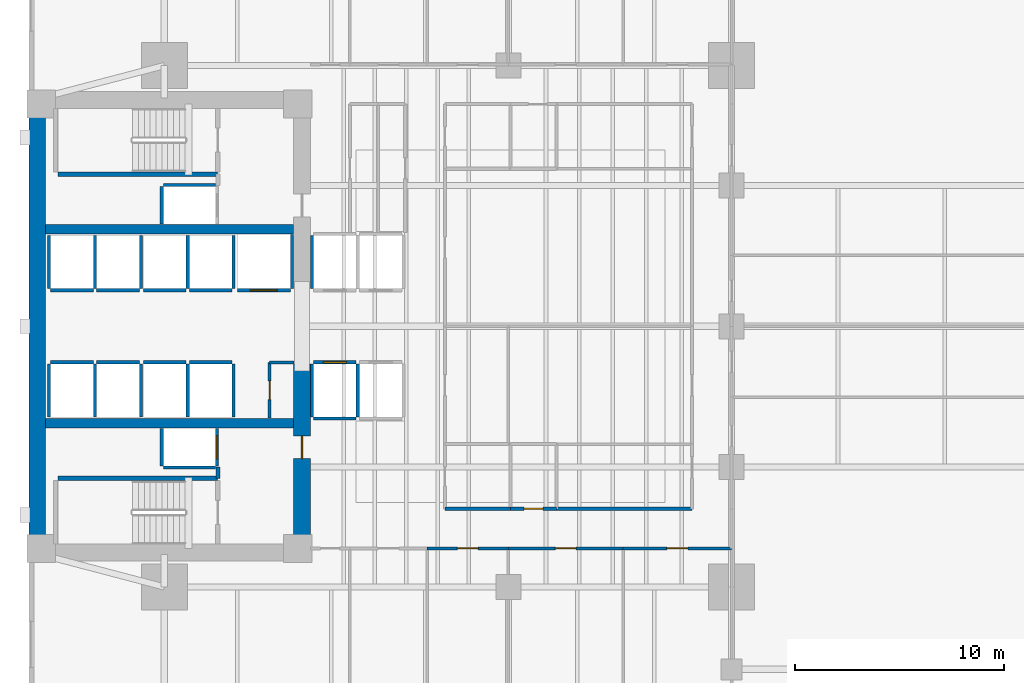
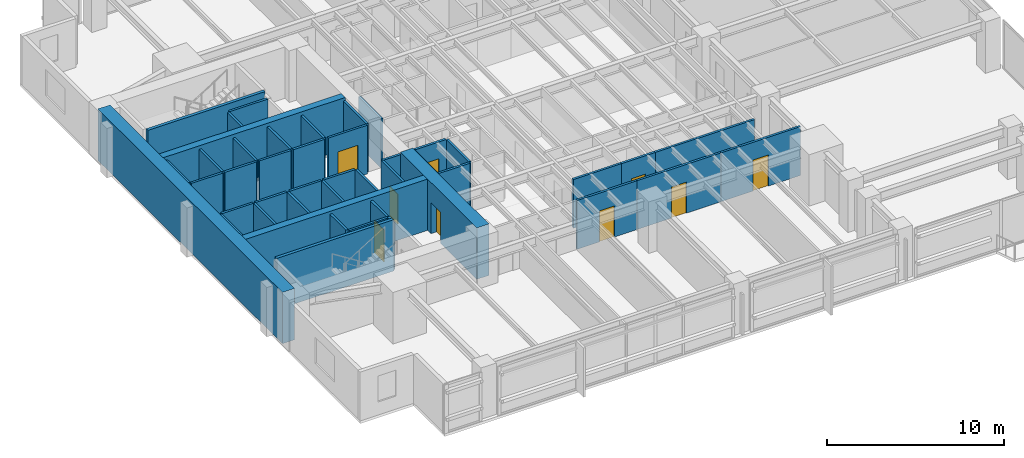
# One storey, part 8 of 15: 45 walls, 9 doors, 9 openings.
"""IFC4 building model written with IfcOpenShell, lengths in metres."""

from ifc_helpers import new_model, si_unit, direction, frame, frame_2d, origin, place, context, subcontext, project, spatial, rectangle, extrude, material, layer, layer_set, type_object, element, fill, save


model = new_model("IFC4")

# Units and contexts
model_context = context("Model", 3, precision=1e-05, world=origin(), true_north=direction((0.0, 1.0)))
body_context = subcontext(model_context, "Body", "Model", "MODEL_VIEW")
ifc_project = project(units=[si_unit("LENGTHUNIT", "METRE"), si_unit("AREAUNIT", "SQUARE_METRE"), si_unit("VOLUMEUNIT", "CUBIC_METRE"), si_unit("PLANEANGLEUNIT", "RADIAN"), si_unit("MASSUNIT", "GRAM", prefix="KILO")], contexts=[model_context])

# Site, building, storey
site_placement = place(None, origin())
site = spatial("IfcSite", under=ifc_project, at=site_placement, CompositionType="ELEMENT")
building_placement = place(site_placement, origin())
building = spatial("IfcBuilding", under=site, at=building_placement, Name="Kinhvarn Gate Tower", CompositionType="ELEMENT")
storey_placement = place(building_placement, frame((0.0, 0.0, 57.550048828125)))
storey = spatial("IfcBuildingStorey", under=building, at=storey_placement, Name="L14", CompositionType="ELEMENT", Elevation=57.550048828125)

# Walls
ifc_material_1 = material(Name="Concrete C50/60", Category="concrete")
ifc_layer_1 = layer(ifc_material_1, 0.449951171875)
ifc_layer_set_1 = layer_set([ifc_layer_1], Name="Concrete C50/60")
wall_type_1 = type_object("IfcWallType", Name="WL-CORE-450", PredefinedType="SHEAR", material=ifc_layer_set_1)
for number, where, z_axis, x_axis, name in (
    (1, (5.300048828125, 20.60009765625, 0.0), (0.0, 0.0, 1.0), (1.0, 0.0, 0.0), "Core South Spine Shear Wall L14 450 mm"),
    (2, (5.300048828125, 29.89990234375, 0.0), (0.0, 0.0, 1.0), (1.0, 0.0, 0.0), "Core North Spine Shear Wall L14 450 mm"),
):
    element("IfcWall", number, at=place(storey_placement, frame(where, z_axis=z_axis, x_axis=x_axis)), inside=storey, type_object=wall_type_1, Name=name, PredefinedType="SHEAR", context=body_context, shape_type="SweptSolid", body=[
        extrude(rectangle(XDim=11.89990234375, YDim=0.449951171875, at=frame_2d((5.949951171875, 0.0))), origin(), (0.0, 0.0, 1.0), 3.550048828125),
    ])

# Wall, opening, door
ifc_material_2 = material(Name="Concrete C70/85", Category="concrete")
ifc_layer_2 = layer(ifc_material_2, 0.800048828125)
ifc_layer_set_2 = layer_set([ifc_layer_2], Name="Concrete C70/85")
wall_type_2 = type_object("IfcWallType", Name="WL-CORE-800", PredefinedType="SHEAR", material=ifc_layer_set_2)
wall_1_placement = place(storey_placement, frame((17.60009765625, 14.800048828125, 0.0), z_axis=(0.0, 0.0, 1.0), x_axis=(0.0, 1.0, 0.0)))
wall_1 = element("IfcWall", 3, at=wall_1_placement, inside=storey, type_object=wall_type_2, Name="Core East-South Shear Pier L14 800 mm", PredefinedType="SHEAR", context=body_context, shape_type="SweptSolid", body=[
    extrude(rectangle(XDim=8.64990234375, YDim=0.800048828125, at=frame_2d((4.324951171875, 0.0))), origin(), (0.0, 0.0, 1.0), 3.550048828125),
])
opening_1_placement = place(wall_1_placement, frame((4.10009765625, 0.0, 0.0)))
opening_1 = element("IfcOpeningElement", 4, at=opening_1_placement, cuts=wall_1, Name="Opening FD-02", PredefinedType="OPENING", context=body_context, shape_type="SweptSolid", body=[
    extrude(rectangle(XDim=1.10009765625, YDim=2.14990234375, at=frame_2d((0.550048828125, 1.074951171875))), frame((0.0, 0.41015625, 0.0), z_axis=(0.0, -1.0, 0.0), x_axis=(1.0, 0.0, 0.0)), (0.0, 0.0, 1.0), 0.820068359375),
])
ifc_material_3 = material(Name="Anodised aluminium AW-6063", Category="aluminium")
door_type_1 = type_object("IfcDoorType", Name="DR-FD-1100", OperationType="NOTDEFINED", PredefinedType="DOOR", material=ifc_material_3)
door_1_placement = place(opening_1_placement, origin())
door_1 = element("IfcDoor", 5, at=door_1_placement, inside=storey, type_object=door_type_1, Name="Firefighting Lobby Core Door (L14)", OperationType="SINGLE_SWING_RIGHT", OverallHeight=2.14990234375, OverallWidth=1.10009765625, PredefinedType="DOOR", context=body_context, shape_type="SweptSolid", body=[
    extrude(rectangle(XDim=1.10009765625, YDim=2.14990234375, at=frame_2d((0.550048828125, 1.074951171875))), frame((0.0, 0.02490234375, 0.0), z_axis=(0.0, -1.0, 0.0), x_axis=(1.0, 0.0, 0.0)), (0.0, 0.0, 1.0), 0.050048828125),
])
fill(opening_1, door_1)

# Walls
ifc_layer_3 = layer(ifc_material_2, 0.800048828125)
ifc_layer_set_3 = layer_set([ifc_layer_3], Name="Concrete C70/85")
wall_type_3 = type_object("IfcWallType", Name="WL-COREX-800", PredefinedType="SHEAR", material=ifc_layer_set_3)
wall_2_placement = place(storey_placement, frame((4.89990234375, 14.800048828125, 0.0), z_axis=(0.0, 0.0, 1.0), x_axis=(0.0, 1.0, 0.0)))
element("IfcWall", 6, at=wall_2_placement, inside=storey, type_object=wall_type_3, Name="Core West Shear Wall L14 800 mm", PredefinedType="SHEAR", context=body_context, shape_type="SweptSolid", body=[
    extrude(rectangle(XDim=20.89990234375, YDim=0.800048828125, at=frame_2d((10.449951171875, 0.0))), origin(), (0.0, 0.0, 1.0), 3.550048828125),
])
ifc_material_4 = material(Name="Gypsum acoustic partition board")
ifc_layer_4 = layer(ifc_material_4, 0.14990234375)
ifc_layer_set_4 = layer_set([ifc_layer_4], Name="Gypsum acoustic partition board")
wall_type_4 = type_object("IfcWallType", Name="WL-PLM-150F", PredefinedType="PLUMBINGWALL", material=ifc_layer_set_4)
wall_3_placement = place(storey_placement, frame((24.449951171875, 16.5, 0.0), z_axis=(0.0, 0.0, 1.0), x_axis=(1.0, 0.0, 0.0)))
element("IfcWall", 7, at=wall_3_placement, inside=storey, type_object=wall_type_4, Name="Interior Partition PLW-150F (L14)", PredefinedType="PLUMBINGWALL", context=body_context, shape_type="SweptSolid", body=[
    extrude(rectangle(XDim=3.150146484375, YDim=0.14990234375, at=frame_2d((1.5751953125, 0.0))), origin(), (0.0, 0.0, 1.0), 3.369873046875),
])

# Wall, opening, door
wall_4_placement = place(storey_placement, frame((27.60009765625, 16.5, 0.0), z_axis=(0.0, 0.0, 1.0), x_axis=(1.0, 0.0, 0.0)))
wall_4 = element("IfcWall", 8, at=wall_4_placement, inside=storey, type_object=wall_type_4, Name="Interior Partition PLW-150F (L14)", PredefinedType="PLUMBINGWALL", context=body_context, shape_type="SweptSolid", body=[
    extrude(rectangle(XDim=2.199951171875, YDim=0.14990234375, at=frame_2d((1.10009765625, 0.0))), origin(), (0.0, 0.0, 1.0), 3.369873046875),
])
opening_2_placement = place(wall_4_placement, frame((0.64990234375, 0.0, 0.0)))
opening_2 = element("IfcOpeningElement", 9, at=opening_2_placement, cuts=wall_4, Name="Opening FD-04", PredefinedType="OPENING", context=body_context, shape_type="SweptSolid", body=[
    extrude(rectangle(XDim=0.89990234375, YDim=2.10009765625, at=frame_2d((0.449951171875, 1.050048828125))), frame((0.0, 0.0849609375, 0.0), z_axis=(0.0, -1.0, 0.0), x_axis=(1.0, 0.0, 0.0)), (0.0, 0.0, 1.0), 0.169921875),
])
door_type_2 = type_object("IfcDoorType", Name="DR-FD-900", OperationType="NOTDEFINED", PredefinedType="DOOR", material=ifc_material_3)
door_2_placement = place(opening_2_placement, origin())
door_2 = element("IfcDoor", 10, at=door_2_placement, inside=storey, type_object=door_type_2, Name="Rated Riser & Service Closet Fire Door 900x2100 mm (L14)", OperationType="SINGLE_SWING_LEFT", OverallHeight=2.10009765625, OverallWidth=0.89990234375, PredefinedType="DOOR", context=body_context, shape_type="SweptSolid", body=[
    extrude(rectangle(XDim=0.89990234375, YDim=2.10009765625, at=frame_2d((0.449951171875, 1.050048828125))), frame((0.0, 0.02490234375, 0.0), z_axis=(0.0, -1.0, 0.0), x_axis=(1.0, 0.0, 0.0)), (0.0, 0.0, 1.0), 0.050048828125),
])
fill(opening_2, door_2)

ifc_layer_5 = layer(ifc_material_4, 0.14990234375)
ifc_layer_set_5 = layer_set([ifc_layer_5], Name="Gypsum acoustic partition board")
wall_type_5 = type_object("IfcWallType", Name="WL-PRT-150F", PredefinedType="PARTITIONING", material=ifc_layer_set_5)
wall_5_placement = place(storey_placement, frame((16.050048828125, 20.85009765625, 0.0), z_axis=(0.0, 0.0, 1.0), x_axis=(0.0, 1.0, 0.0)))
wall_5 = element("IfcWall", 11, at=wall_5_placement, inside=storey, type_object=wall_type_5, Name="Interior Partition PW-150F (L14)", PredefinedType="PARTITIONING", context=body_context, shape_type="SweptSolid", body=[
    extrude(rectangle(XDim=2.669921875, YDim=0.14990234375, at=frame_2d((1.3349609375, 0.0))), origin(), (0.0, 0.0, 1.0), 3.369873046875),
])
opening_3_placement = place(wall_5_placement, frame((0.885009765625, 0.0, 0.0)))
opening_3 = element("IfcOpeningElement", 12, at=opening_3_placement, cuts=wall_5, Name="Opening FD-04", PredefinedType="OPENING", context=body_context, shape_type="SweptSolid", body=[
    extrude(rectangle(XDim=0.89990234375, YDim=2.10009765625, at=frame_2d((0.449951171875, 1.050048828125))), frame((0.0, 0.0849609375, 0.0), z_axis=(0.0, -1.0, 0.0), x_axis=(1.0, 0.0, 0.0)), (0.0, 0.0, 1.0), 0.169921875),
])
door_3_placement = place(opening_3_placement, origin())
door_3 = element("IfcDoor", 13, at=door_3_placement, inside=storey, type_object=door_type_2, Name="Rated Riser & Service Closet Fire Door 900x2100 mm (L14)", OperationType="SINGLE_SWING_RIGHT", OverallHeight=2.10009765625, OverallWidth=0.89990234375, PredefinedType="DOOR", context=body_context, shape_type="SweptSolid", body=[
    extrude(rectangle(XDim=0.89990234375, YDim=2.10009765625, at=frame_2d((0.449951171875, 1.050048828125))), frame((0.0, 0.02490234375, 0.0), z_axis=(0.0, -1.0, 0.0), x_axis=(1.0, 0.0, 0.0)), (0.0, 0.0, 1.0), 0.050048828125),
])
fill(opening_3, door_3)

# Walls
wall_6_placement = place(storey_placement, frame((16.050048828125, 23.52001953125, 0.0), z_axis=(0.0, 0.0, 1.0), x_axis=(1.0, 0.0, 0.0)))
element("IfcWall", 14, at=wall_6_placement, inside=storey, type_object=wall_type_5, Name="Interior Partition PW-150F (L14)", PredefinedType="PARTITIONING", context=body_context, shape_type="SweptSolid", body=[
    extrude(rectangle(XDim=1.169921875, YDim=0.14990234375, at=frame_2d((0.5849609375, 0.0))), origin(), (0.0, 0.0, 1.0), 3.369873046875),
])
wall_7_placement = place(storey_placement, frame((29.800048828125, 16.5, 0.0), z_axis=(0.0, 0.0, 1.0), x_axis=(1.0, 0.0, 0.0)))
element("IfcWall", 15, at=wall_7_placement, inside=storey, type_object=wall_type_5, Name="Interior Partition PW-150F (L14)", PredefinedType="PARTITIONING", context=body_context, shape_type="SweptSolid", body=[
    extrude(rectangle(XDim=6.5, YDim=0.14990234375, at=frame_2d((3.25, 0.0))), origin(), (0.0, 0.0, 1.0), 3.369873046875),
])

# Wall, opening, door
wall_8_placement = place(storey_placement, frame((23.60009765625, 14.60009765625, 0.0), z_axis=(0.0, 0.0, 1.0), x_axis=(1.0, 0.0, 0.0)))
wall_8 = element("IfcWall", 16, at=wall_8_placement, inside=storey, type_object=wall_type_5, Name="Interior Partition PW-150F (L14)", PredefinedType="PARTITIONING", context=body_context, shape_type="SweptSolid", body=[
    extrude(rectangle(XDim=3.89990234375, YDim=0.14990234375, at=frame_2d((1.949951171875, 0.0))), origin(), (0.0, 0.0, 1.0), 3.369873046875),
])
opening_4_placement = place(wall_8_placement, frame((1.449951171875, 0.0, 0.0)))
opening_4 = element("IfcOpeningElement", 17, at=opening_4_placement, cuts=wall_8, Name="Opening ID-02", PredefinedType="OPENING", context=body_context, shape_type="SweptSolid", body=[
    extrude(rectangle(XDim=1.0, YDim=2.14990234375, at=frame_2d((0.5, 1.074951171875))), frame((0.0, 0.0849609375, 0.0), z_axis=(0.0, -1.0, 0.0), x_axis=(1.0, 0.0, 0.0)), (0.0, 0.0, 1.0), 0.169921875),
])
door_type_3 = type_object("IfcDoorType", Name="DR-INT-1000", OperationType="NOTDEFINED", PredefinedType="DOOR", material=ifc_material_3)
door_4_placement = place(opening_4_placement, origin())
door_4 = element("IfcDoor", 18, at=door_4_placement, inside=storey, type_object=door_type_3, Name="Standard Office & Meeting Room Door 1000x2150 mm (L14)", OperationType="SINGLE_SWING_RIGHT", OverallHeight=2.14990234375, OverallWidth=1.0, PredefinedType="DOOR", context=body_context, shape_type="SweptSolid", body=[
    extrude(rectangle(XDim=1.0, YDim=2.14990234375, at=frame_2d((0.5, 1.074951171875))), frame((0.0, 0.02490234375, 0.0), z_axis=(0.0, -1.0, 0.0), x_axis=(1.0, 0.0, 0.0)), (0.0, 0.0, 1.0), 0.050048828125),
])
fill(opening_4, door_4)

wall_9_placement = place(storey_placement, frame((27.5, 14.60009765625, 0.0), z_axis=(0.0, 0.0, 1.0), x_axis=(1.0, 0.0, 0.0)))
wall_9 = element("IfcWall", 19, at=wall_9_placement, inside=storey, type_object=wall_type_5, Name="Interior Partition PW-150F (L14)", PredefinedType="PARTITIONING", context=body_context, shape_type="SweptSolid", body=[
    extrude(rectangle(XDim=5.5, YDim=0.14990234375, at=frame_2d((2.75, 0.0))), origin(), (0.0, 0.0, 1.0), 3.369873046875),
])
opening_5_placement = place(wall_9_placement, frame((2.25, 0.0, 0.0)))
opening_5 = element("IfcOpeningElement", 20, at=opening_5_placement, cuts=wall_9, Name="Opening ID-02", PredefinedType="OPENING", context=body_context, shape_type="SweptSolid", body=[
    extrude(rectangle(XDim=1.0, YDim=2.14990234375, at=frame_2d((0.5, 1.074951171875))), frame((0.0, 0.0849609375, 0.0), z_axis=(0.0, -1.0, 0.0), x_axis=(1.0, 0.0, 0.0)), (0.0, 0.0, 1.0), 0.169921875),
])
door_5_placement = place(opening_5_placement, origin())
door_5 = element("IfcDoor", 21, at=door_5_placement, inside=storey, type_object=door_type_3, Name="Standard Office & Meeting Room Door 1000x2150 mm (L14)", OperationType="SINGLE_SWING_LEFT", OverallHeight=2.14990234375, OverallWidth=1.0, PredefinedType="DOOR", context=body_context, shape_type="SweptSolid", body=[
    extrude(rectangle(XDim=1.0, YDim=2.14990234375, at=frame_2d((0.5, 1.074951171875))), frame((0.0, 0.02490234375, 0.0), z_axis=(0.0, -1.0, 0.0), x_axis=(1.0, 0.0, 0.0)), (0.0, 0.0, 1.0), 0.050048828125),
])
fill(opening_5, door_5)

wall_10_placement = place(storey_placement, frame((33.0, 14.60009765625, 0.0), z_axis=(0.0, 0.0, 1.0), x_axis=(1.0, 0.0, 0.0)))
wall_10 = element("IfcWall", 22, at=wall_10_placement, inside=storey, type_object=wall_type_5, Name="Interior Partition PW-150F (L14)", PredefinedType="PARTITIONING", context=body_context, shape_type="SweptSolid", body=[
    extrude(rectangle(XDim=5.199951171875, YDim=0.14990234375, at=frame_2d((2.60009765625, 0.0))), origin(), (0.0, 0.0, 1.0), 3.369873046875),
])
opening_6_placement = place(wall_10_placement, frame((2.10009765625, 0.0, 0.0)))
opening_6 = element("IfcOpeningElement", 23, at=opening_6_placement, cuts=wall_10, Name="Opening ID-02", PredefinedType="OPENING", context=body_context, shape_type="SweptSolid", body=[
    extrude(rectangle(XDim=1.0, YDim=2.14990234375, at=frame_2d((0.5, 1.074951171875))), frame((0.0, 0.0849609375, 0.0), z_axis=(0.0, -1.0, 0.0), x_axis=(1.0, 0.0, 0.0)), (0.0, 0.0, 1.0), 0.169921875),
])
door_6_placement = place(opening_6_placement, origin())
door_6 = element("IfcDoor", 24, at=door_6_placement, inside=storey, type_object=door_type_3, Name="Standard Office & Meeting Room Door 1000x2150 mm (L14)", OperationType="SINGLE_SWING_RIGHT", OverallHeight=2.14990234375, OverallWidth=1.0, PredefinedType="DOOR", context=body_context, shape_type="SweptSolid", body=[
    extrude(rectangle(XDim=1.0, YDim=2.14990234375, at=frame_2d((0.5, 1.074951171875))), frame((0.0, 0.02490234375, 0.0), z_axis=(0.0, -1.0, 0.0), x_axis=(1.0, 0.0, 0.0)), (0.0, 0.0, 1.0), 0.050048828125),
])
fill(opening_6, door_6)

# Walls
ifc_layer_6 = layer(ifc_material_4, 0.199951171875)
ifc_layer_set_6 = layer_set([ifc_layer_6], Name="Gypsum acoustic partition board")
wall_type_6 = type_object("IfcWallType", Name="WL-PRT-200", PredefinedType="PARTITIONING", material=ifc_layer_set_6)
wall_11_placement = place(storey_placement, frame((13.580078125, 17.9599609375, 0.0), z_axis=(0.0, 0.0, 1.0), x_axis=(0.0, 1.0, 0.0)))
element("IfcWall", 25, at=wall_11_placement, inside=storey, type_object=wall_type_6, Name="Interior Partition PW-200 (L14)", PredefinedType="PARTITIONING", context=body_context, shape_type="SweptSolid", body=[
    extrude(rectangle(XDim=0.5400390625, YDim=0.199951171875, at=frame_2d((0.27001953125, 0.0))), origin(), (0.0, 0.0, 1.0), 3.369873046875),
])
ifc_layer_7 = layer(ifc_material_4, 0.14990234375)
ifc_layer_set_7 = layer_set([ifc_layer_7], Name="Gypsum acoustic partition board")
wall_type_7 = type_object("IfcWallType", Name="WL-SHF-150", PredefinedType="PARTITIONING", material=ifc_layer_set_7)
wall_12_placement = place(storey_placement, frame((18.14990234375, 20.824951171875, 0.0), z_axis=(0.0, 0.0, 1.0), x_axis=(1.0, 0.0, 0.0)))
element("IfcWall", 26, at=wall_12_placement, inside=storey, type_object=wall_type_7, Name="Elevator PL-01 Hoistway Wall S (L14)", PredefinedType="PARTITIONING", context=body_context, shape_type="SweptSolid", body=[
    extrude(rectangle(XDim=2.050048828125, YDim=0.14990234375, at=frame_2d((1.02490234375, 0.0))), origin(), (0.0, 0.0, 1.0), 3.369873046875),
])

# Wall, opening, door
wall_13_placement = place(storey_placement, frame((18.14990234375, 23.52490234375, 0.0), z_axis=(0.0, 0.0, 1.0), x_axis=(1.0, 0.0, 0.0)))
wall_13 = element("IfcWall", 27, at=wall_13_placement, inside=storey, type_object=wall_type_7, Name="Elevator PL-01 Landing Wall (L14)", PredefinedType="PARTITIONING", context=body_context, shape_type="SweptSolid", body=[
    extrude(rectangle(XDim=2.050048828125, YDim=0.14990234375, at=frame_2d((1.02490234375, 0.0))), origin(), (0.0, 0.0, 1.0), 3.369873046875),
])
opening_7_placement = place(wall_13_placement, frame((0.47509765625, 0.0, 0.0)))
opening_7 = element("IfcOpeningElement", 28, at=opening_7_placement, cuts=wall_13, Name="Opening LD-01", PredefinedType="OPENING", context=body_context, shape_type="SweptSolid", body=[
    extrude(rectangle(XDim=1.10009765625, YDim=2.199951171875, at=frame_2d((0.550048828125, 1.10009765625))), frame((0.0, 0.0849609375, 0.0), z_axis=(0.0, -1.0, 0.0), x_axis=(1.0, 0.0, 0.0)), (0.0, 0.0, 1.0), 0.169921875),
])
door_type_4 = type_object("IfcDoorType", Name="DR-LND-PAS", OperationType="NOTDEFINED", PredefinedType="DOOR", material=ifc_material_3)
door_7_placement = place(opening_7_placement, origin())
door_7 = element("IfcDoor", 29, at=door_7_placement, inside=storey, type_object=door_type_4, Name="Elevator PL-01 Sliding Landing Door (L14)", OperationType="DOUBLE_DOOR_SLIDING", OverallHeight=2.199951171875, OverallWidth=1.10009765625, PredefinedType="DOOR", context=body_context, shape_type="SweptSolid", body=[
    extrude(rectangle(XDim=1.10009765625, YDim=2.199951171875, at=frame_2d((0.550048828125, 1.10009765625))), frame((0.0, 0.02490234375, 0.0), z_axis=(0.0, -1.0, 0.0), x_axis=(1.0, 0.0, 0.0)), (0.0, 0.0, 1.0), 0.050048828125),
])
fill(opening_7, door_7)

# Walls
for number, where, z_axis, x_axis, name in (
    (30, (18.074951171875, 20.89990234375, 0.0), (0.0, 0.0, 1.0), (0.0, 1.0, 0.0), "Elevator PL-01 Hoistway Wall W (L14)"),
    (31, (20.27490234375, 20.89990234375, 0.0), (0.0, 0.0, 1.0), (0.0, 1.0, 0.0), "Elevator PL-01 Hoistway Wall E (L14)"),
    (32, (18.074951171875, 27.050048828125, 0.0), (0.0, 0.0, 1.0), (0.0, 1.0, 0.0), "Elevator PL-03 Hoistway Wall W (L14)"),
):
    element("IfcWall", number, at=place(storey_placement, frame(where, z_axis=z_axis, x_axis=x_axis)), inside=storey, type_object=wall_type_7, Name=name, PredefinedType="PARTITIONING", context=body_context, shape_type="SweptSolid", body=[
        extrude(rectangle(XDim=2.550048828125, YDim=0.14990234375, at=frame_2d((1.27490234375, 0.0))), origin(), (0.0, 0.0, 1.0), 3.369873046875),
    ])
wall_14_placement = place(storey_placement, frame((5.550048828125, 23.52490234375, 0.0), z_axis=(0.0, 0.0, 1.0), x_axis=(1.0, 0.0, 0.0)))
element("IfcWall", 33, at=wall_14_placement, inside=storey, type_object=wall_type_7, Name="Elevator PM-05 Landing Wall (L14)", PredefinedType="PARTITIONING", context=body_context, shape_type="SweptSolid", body=[
    extrude(rectangle(XDim=2.050048828125, YDim=0.14990234375, at=frame_2d((1.02490234375, 0.0))), origin(), (0.0, 0.0, 1.0), 3.369873046875),
])
for number, where, z_axis, x_axis, name in (
    (34, (5.47509765625, 20.89990234375, 0.0), (0.0, 0.0, 1.0), (0.0, 1.0, 0.0), "Elevator PM-05 Hoistway Wall W (L14)"),
    (35, (7.675048828125, 20.89990234375, 0.0), (0.0, 0.0, 1.0), (0.0, 1.0, 0.0), "Elevator PM-05 Hoistway Wall E (L14)"),
):
    element("IfcWall", number, at=place(storey_placement, frame(where, z_axis=z_axis, x_axis=x_axis)), inside=storey, type_object=wall_type_7, Name=name, PredefinedType="PARTITIONING", context=body_context, shape_type="SweptSolid", body=[
        extrude(rectangle(XDim=2.550048828125, YDim=0.14990234375, at=frame_2d((1.27490234375, 0.0))), origin(), (0.0, 0.0, 1.0), 3.369873046875),
    ])
wall_15_placement = place(storey_placement, frame((7.75, 23.52490234375, 0.0), z_axis=(0.0, 0.0, 1.0), x_axis=(1.0, 0.0, 0.0)))
element("IfcWall", 36, at=wall_15_placement, inside=storey, type_object=wall_type_7, Name="Elevator PM-06 Landing Wall (L14)", PredefinedType="PARTITIONING", context=body_context, shape_type="SweptSolid", body=[
    extrude(rectangle(XDim=2.050048828125, YDim=0.14990234375, at=frame_2d((1.02490234375, 0.0))), origin(), (0.0, 0.0, 1.0), 3.369873046875),
])
wall_16_placement = place(storey_placement, frame((9.875, 20.89990234375, 0.0), z_axis=(0.0, 0.0, 1.0), x_axis=(0.0, 1.0, 0.0)))
element("IfcWall", 37, at=wall_16_placement, inside=storey, type_object=wall_type_7, Name="Elevator PM-06 Hoistway Wall E (L14)", PredefinedType="PARTITIONING", context=body_context, shape_type="SweptSolid", body=[
    extrude(rectangle(XDim=2.550048828125, YDim=0.14990234375, at=frame_2d((1.27490234375, 0.0))), origin(), (0.0, 0.0, 1.0), 3.369873046875),
])
wall_17_placement = place(storey_placement, frame((5.550048828125, 26.97509765625, 0.0), z_axis=(0.0, 0.0, 1.0), x_axis=(1.0, 0.0, 0.0)))
element("IfcWall", 38, at=wall_17_placement, inside=storey, type_object=wall_type_7, Name="Elevator PM-07 Landing Wall (L14)", PredefinedType="PARTITIONING", context=body_context, shape_type="SweptSolid", body=[
    extrude(rectangle(XDim=2.050048828125, YDim=0.14990234375, at=frame_2d((1.02490234375, 0.0))), origin(), (0.0, 0.0, 1.0), 3.369873046875),
])
for number, where, z_axis, x_axis, name in (
    (39, (5.47509765625, 27.050048828125, 0.0), (0.0, 0.0, 1.0), (0.0, 1.0, 0.0), "Elevator PM-07 Hoistway Wall W (L14)"),
    (40, (7.675048828125, 27.050048828125, 0.0), (0.0, 0.0, 1.0), (0.0, 1.0, 0.0), "Elevator PM-07 Hoistway Wall E (L14)"),
):
    element("IfcWall", number, at=place(storey_placement, frame(where, z_axis=z_axis, x_axis=x_axis)), inside=storey, type_object=wall_type_7, Name=name, PredefinedType="PARTITIONING", context=body_context, shape_type="SweptSolid", body=[
        extrude(rectangle(XDim=2.550048828125, YDim=0.14990234375, at=frame_2d((1.27490234375, 0.0))), origin(), (0.0, 0.0, 1.0), 3.369873046875),
    ])
wall_18_placement = place(storey_placement, frame((7.75, 26.97509765625, 0.0), z_axis=(0.0, 0.0, 1.0), x_axis=(1.0, 0.0, 0.0)))
element("IfcWall", 41, at=wall_18_placement, inside=storey, type_object=wall_type_7, Name="Elevator PM-08 Landing Wall (L14)", PredefinedType="PARTITIONING", context=body_context, shape_type="SweptSolid", body=[
    extrude(rectangle(XDim=2.050048828125, YDim=0.14990234375, at=frame_2d((1.02490234375, 0.0))), origin(), (0.0, 0.0, 1.0), 3.369873046875),
])
wall_19_placement = place(storey_placement, frame((9.875, 27.050048828125, 0.0), z_axis=(0.0, 0.0, 1.0), x_axis=(0.0, 1.0, 0.0)))
element("IfcWall", 42, at=wall_19_placement, inside=storey, type_object=wall_type_7, Name="Elevator PM-08 Hoistway Wall E (L14)", PredefinedType="PARTITIONING", context=body_context, shape_type="SweptSolid", body=[
    extrude(rectangle(XDim=2.550048828125, YDim=0.14990234375, at=frame_2d((1.27490234375, 0.0))), origin(), (0.0, 0.0, 1.0), 3.369873046875),
])
wall_20_placement = place(storey_placement, frame((10.0, 23.52490234375, 0.0), z_axis=(0.0, 0.0, 1.0), x_axis=(1.0, 0.0, 0.0)))
element("IfcWall", 43, at=wall_20_placement, inside=storey, type_object=wall_type_7, Name="Elevator PH-09 Landing Wall (L14)", PredefinedType="PARTITIONING", context=body_context, shape_type="SweptSolid", body=[
    extrude(rectangle(XDim=2.050048828125, YDim=0.14990234375, at=frame_2d((1.02490234375, 0.0))), origin(), (0.0, 0.0, 1.0), 3.369873046875),
])
wall_21_placement = place(storey_placement, frame((12.125, 20.89990234375, 0.0), z_axis=(0.0, 0.0, 1.0), x_axis=(0.0, 1.0, 0.0)))
element("IfcWall", 44, at=wall_21_placement, inside=storey, type_object=wall_type_7, Name="Elevator PH-09 Hoistway Wall E (L14)", PredefinedType="PARTITIONING", context=body_context, shape_type="SweptSolid", body=[
    extrude(rectangle(XDim=2.550048828125, YDim=0.14990234375, at=frame_2d((1.27490234375, 0.0))), origin(), (0.0, 0.0, 1.0), 3.369873046875),
])
wall_22_placement = place(storey_placement, frame((12.199951171875, 23.52490234375, 0.0), z_axis=(0.0, 0.0, 1.0), x_axis=(1.0, 0.0, 0.0)))
element("IfcWall", 45, at=wall_22_placement, inside=storey, type_object=wall_type_7, Name="Elevator PH-10 Landing Wall (L14)", PredefinedType="PARTITIONING", context=body_context, shape_type="SweptSolid", body=[
    extrude(rectangle(XDim=2.050048828125, YDim=0.14990234375, at=frame_2d((1.02490234375, 0.0))), origin(), (0.0, 0.0, 1.0), 3.369873046875),
])
wall_23_placement = place(storey_placement, frame((14.324951171875, 20.89990234375, 0.0), z_axis=(0.0, 0.0, 1.0), x_axis=(0.0, 1.0, 0.0)))
element("IfcWall", 46, at=wall_23_placement, inside=storey, type_object=wall_type_7, Name="Elevator PH-10 Hoistway Wall E (L14)", PredefinedType="PARTITIONING", context=body_context, shape_type="SweptSolid", body=[
    extrude(rectangle(XDim=2.550048828125, YDim=0.14990234375, at=frame_2d((1.27490234375, 0.0))), origin(), (0.0, 0.0, 1.0), 3.369873046875),
])
wall_24_placement = place(storey_placement, frame((10.0, 26.97509765625, 0.0), z_axis=(0.0, 0.0, 1.0), x_axis=(1.0, 0.0, 0.0)))
element("IfcWall", 47, at=wall_24_placement, inside=storey, type_object=wall_type_7, Name="Elevator PH-11 Landing Wall (L14)", PredefinedType="PARTITIONING", context=body_context, shape_type="SweptSolid", body=[
    extrude(rectangle(XDim=2.050048828125, YDim=0.14990234375, at=frame_2d((1.02490234375, 0.0))), origin(), (0.0, 0.0, 1.0), 3.369873046875),
])
wall_25_placement = place(storey_placement, frame((12.125, 27.050048828125, 0.0), z_axis=(0.0, 0.0, 1.0), x_axis=(0.0, 1.0, 0.0)))
element("IfcWall", 48, at=wall_25_placement, inside=storey, type_object=wall_type_7, Name="Elevator PH-11 Hoistway Wall E (L14)", PredefinedType="PARTITIONING", context=body_context, shape_type="SweptSolid", body=[
    extrude(rectangle(XDim=2.550048828125, YDim=0.14990234375, at=frame_2d((1.27490234375, 0.0))), origin(), (0.0, 0.0, 1.0), 3.369873046875),
])
wall_26_placement = place(storey_placement, frame((12.199951171875, 26.97509765625, 0.0), z_axis=(0.0, 0.0, 1.0), x_axis=(1.0, 0.0, 0.0)))
element("IfcWall", 49, at=wall_26_placement, inside=storey, type_object=wall_type_7, Name="Elevator PH-12 Landing Wall (L14)", PredefinedType="PARTITIONING", context=body_context, shape_type="SweptSolid", body=[
    extrude(rectangle(XDim=2.050048828125, YDim=0.14990234375, at=frame_2d((1.02490234375, 0.0))), origin(), (0.0, 0.0, 1.0), 3.369873046875),
])
wall_27_placement = place(storey_placement, frame((14.324951171875, 27.050048828125, 0.0), z_axis=(0.0, 0.0, 1.0), x_axis=(0.0, 1.0, 0.0)))
element("IfcWall", 50, at=wall_27_placement, inside=storey, type_object=wall_type_7, Name="Elevator PH-12 Hoistway Wall E (L14)", PredefinedType="PARTITIONING", context=body_context, shape_type="SweptSolid", body=[
    extrude(rectangle(XDim=2.550048828125, YDim=0.14990234375, at=frame_2d((1.27490234375, 0.0))), origin(), (0.0, 0.0, 1.0), 3.369873046875),
])

# Wall, opening, door
wall_28_placement = place(storey_placement, frame((14.5, 26.97509765625, 0.0), z_axis=(0.0, 0.0, 1.0), x_axis=(1.0, 0.0, 0.0)))
wall_28 = element("IfcWall", 51, at=wall_28_placement, inside=storey, type_object=wall_type_7, Name="Elevator SV-01 Landing Wall (L14)", PredefinedType="PARTITIONING", context=body_context, shape_type="SweptSolid", body=[
    extrude(rectangle(XDim=2.550048828125, YDim=0.14990234375, at=frame_2d((1.27490234375, 0.0))), origin(), (0.0, 0.0, 1.0), 3.369873046875),
])
opening_8_placement = place(wall_28_placement, frame((0.625, 0.0, 0.0)))
opening_8 = element("IfcOpeningElement", 52, at=opening_8_placement, cuts=wall_28, Name="Opening LD-02", PredefinedType="OPENING", context=body_context, shape_type="SweptSolid", body=[
    extrude(rectangle(XDim=1.300048828125, YDim=2.199951171875, at=frame_2d((0.64990234375, 1.10009765625))), frame((0.0, 0.0849609375, 0.0), z_axis=(0.0, -1.0, 0.0), x_axis=(1.0, 0.0, 0.0)), (0.0, 0.0, 1.0), 0.169921875),
])
door_type_5 = type_object("IfcDoorType", Name="DR-LND-SRV", OperationType="NOTDEFINED", PredefinedType="DOOR", material=ifc_material_3)
door_8_placement = place(opening_8_placement, origin())
door_8 = element("IfcDoor", 53, at=door_8_placement, inside=storey, type_object=door_type_5, Name="Elevator SV-01 Sliding Landing Door (L14)", OperationType="DOUBLE_DOOR_SLIDING", OverallHeight=2.199951171875, OverallWidth=1.300048828125, PredefinedType="DOOR", context=body_context, shape_type="SweptSolid", body=[
    extrude(rectangle(XDim=1.300048828125, YDim=2.199951171875, at=frame_2d((0.64990234375, 1.10009765625))), frame((0.0, 0.02490234375, 0.0), z_axis=(0.0, -1.0, 0.0), x_axis=(1.0, 0.0, 0.0)), (0.0, 0.0, 1.0), 0.050048828125),
])
fill(opening_8, door_8)

# Walls
wall_29_placement = place(storey_placement, frame((17.125, 27.050048828125, 0.0), z_axis=(0.0, 0.0, 1.0), x_axis=(0.0, 1.0, 0.0)))
element("IfcWall", 54, at=wall_29_placement, inside=storey, type_object=wall_type_7, Name="Elevator SV-01 Hoistway Wall E (L14)", PredefinedType="PARTITIONING", context=body_context, shape_type="SweptSolid", body=[
    extrude(rectangle(XDim=2.599853515625, YDim=0.14990234375, at=frame_2d((1.2998046875, 0.0))), origin(), (0.0, 0.0, 1.0), 3.369873046875),
])
wall_30_placement = place(storey_placement, frame((10.949951171875, 18.47509765625, 0.0), z_axis=(0.0, 0.0, 1.0), x_axis=(1.0, 0.0, 0.0)))
element("IfcWall", 55, at=wall_30_placement, inside=storey, type_object=wall_type_7, Name="Elevator FF1 Hoistway Wall S (L14)", PredefinedType="PARTITIONING", context=body_context, shape_type="SweptSolid", body=[
    extrude(rectangle(XDim=2.5, YDim=0.14990234375, at=frame_2d((1.25, 0.0))), origin(), (0.0, 0.0, 1.0), 3.369873046875),
])
wall_31_placement = place(storey_placement, frame((10.875, 18.550048828125, 0.0), z_axis=(0.0, 0.0, 1.0), x_axis=(0.0, 1.0, 0.0)))
element("IfcWall", 56, at=wall_31_placement, inside=storey, type_object=wall_type_7, Name="Elevator FF1 Hoistway Wall W (L14)", PredefinedType="PARTITIONING", context=body_context, shape_type="SweptSolid", body=[
    extrude(rectangle(XDim=1.800048828125, YDim=0.14990234375, at=frame_2d((0.89990234375, 0.0))), origin(), (0.0, 0.0, 1.0), 3.369873046875),
])

# Wall, opening, door
wall_32_placement = place(storey_placement, frame((13.52490234375, 18.550048828125, 0.0), z_axis=(0.0, 0.0, 1.0), x_axis=(0.0, 1.0, 0.0)))
wall_32 = element("IfcWall", 57, at=wall_32_placement, inside=storey, type_object=wall_type_7, Name="Elevator FF1 Landing Wall (L14)", PredefinedType="PARTITIONING", context=body_context, shape_type="SweptSolid", body=[
    extrude(rectangle(XDim=1.800048828125, YDim=0.14990234375, at=frame_2d((0.89990234375, 0.0))), origin(), (0.0, 0.0, 1.0), 3.369873046875),
])
opening_9_placement = place(wall_32_placement, frame((0.35009765625, 0.0, 0.0)))
opening_9 = element("IfcOpeningElement", 58, at=opening_9_placement, cuts=wall_32, Name="Opening LD-03", PredefinedType="OPENING", context=body_context, shape_type="SweptSolid", body=[
    extrude(rectangle(XDim=1.10009765625, YDim=2.199951171875, at=frame_2d((0.550048828125, 1.10009765625))), frame((0.0, 0.0849609375, 0.0), z_axis=(0.0, -1.0, 0.0), x_axis=(1.0, 0.0, 0.0)), (0.0, 0.0, 1.0), 0.169921875),
])
door_type_6 = type_object("IfcDoorType", Name="DR-LND-FF", OperationType="NOTDEFINED", PredefinedType="DOOR", material=ifc_material_3)
door_9_placement = place(opening_9_placement, origin())
door_9 = element("IfcDoor", 59, at=door_9_placement, inside=storey, type_object=door_type_6, Name="Elevator FF1 Sliding Landing Door (L14)", OperationType="DOUBLE_DOOR_SLIDING", OverallHeight=2.199951171875, OverallWidth=1.10009765625, PredefinedType="DOOR", context=body_context, shape_type="SweptSolid", body=[
    extrude(rectangle(XDim=1.10009765625, YDim=2.199951171875, at=frame_2d((0.550048828125, 1.10009765625))), frame((0.0, 0.02490234375, 0.0), z_axis=(0.0, -1.0, 0.0), x_axis=(1.0, 0.0, 0.0)), (0.0, 0.0, 1.0), 0.050048828125),
])
fill(opening_9, door_9)

# Walls
wall_33_placement = place(storey_placement, frame((10.949951171875, 32.02490234375, 0.0), z_axis=(0.0, 0.0, 1.0), x_axis=(1.0, 0.0, 0.0)))
element("IfcWall", 60, at=wall_33_placement, inside=storey, type_object=wall_type_7, Name="Elevator FF2 Hoistway Wall N (L14)", PredefinedType="PARTITIONING", context=body_context, shape_type="SweptSolid", body=[
    extrude(rectangle(XDim=2.5, YDim=0.14990234375, at=frame_2d((1.25, 0.0))), origin(), (0.0, 0.0, 1.0), 3.369873046875),
])
wall_34_placement = place(storey_placement, frame((10.875, 30.14990234375, 0.0), z_axis=(0.0, 0.0, 1.0), x_axis=(0.0, 1.0, 0.0)))
element("IfcWall", 61, at=wall_34_placement, inside=storey, type_object=wall_type_7, Name="Elevator FF2 Hoistway Wall W (L14)", PredefinedType="PARTITIONING", context=body_context, shape_type="SweptSolid", body=[
    extrude(rectangle(XDim=1.800048828125, YDim=0.14990234375, at=frame_2d((0.89990234375, 0.0))), origin(), (0.0, 0.0, 1.0), 3.369873046875),
])
ifc_material_5 = material(Name="Concrete C40/50", Category="concrete")
ifc_layer_8 = layer(ifc_material_5, 0.199951171875)
ifc_layer_set_8 = layer_set([ifc_layer_8], Name="Concrete C40/50")
wall_type_8 = type_object("IfcWallType", Name="WL-SHF-200", PredefinedType="SOLIDWALL", material=ifc_layer_set_8)
for number, where, z_axis, x_axis, name in (
    (62, (5.89990234375, 17.9599609375, 0.0), (0.0, 0.0, 1.0), (1.0, 0.0, 0.0), "Stair ST1 North Shaft Wall (L14)"),
    (63, (5.89990234375, 32.5400390625, 0.0), (0.0, 0.0, 1.0), (1.0, 0.0, 0.0), "Stair ST2 South Shaft Wall (L14)"),
):
    element("IfcWall", number, at=place(storey_placement, frame(where, z_axis=z_axis, x_axis=x_axis)), inside=storey, type_object=wall_type_8, Name=name, PredefinedType="SOLIDWALL", context=body_context, shape_type="SweptSolid", body=[
        extrude(rectangle(XDim=7.66015625, YDim=0.199951171875, at=frame_2d((3.830078125, 0.0))), origin(), (0.0, 0.0, 1.0), 3.550048828125),
    ])

save(model, "model.ifc")
